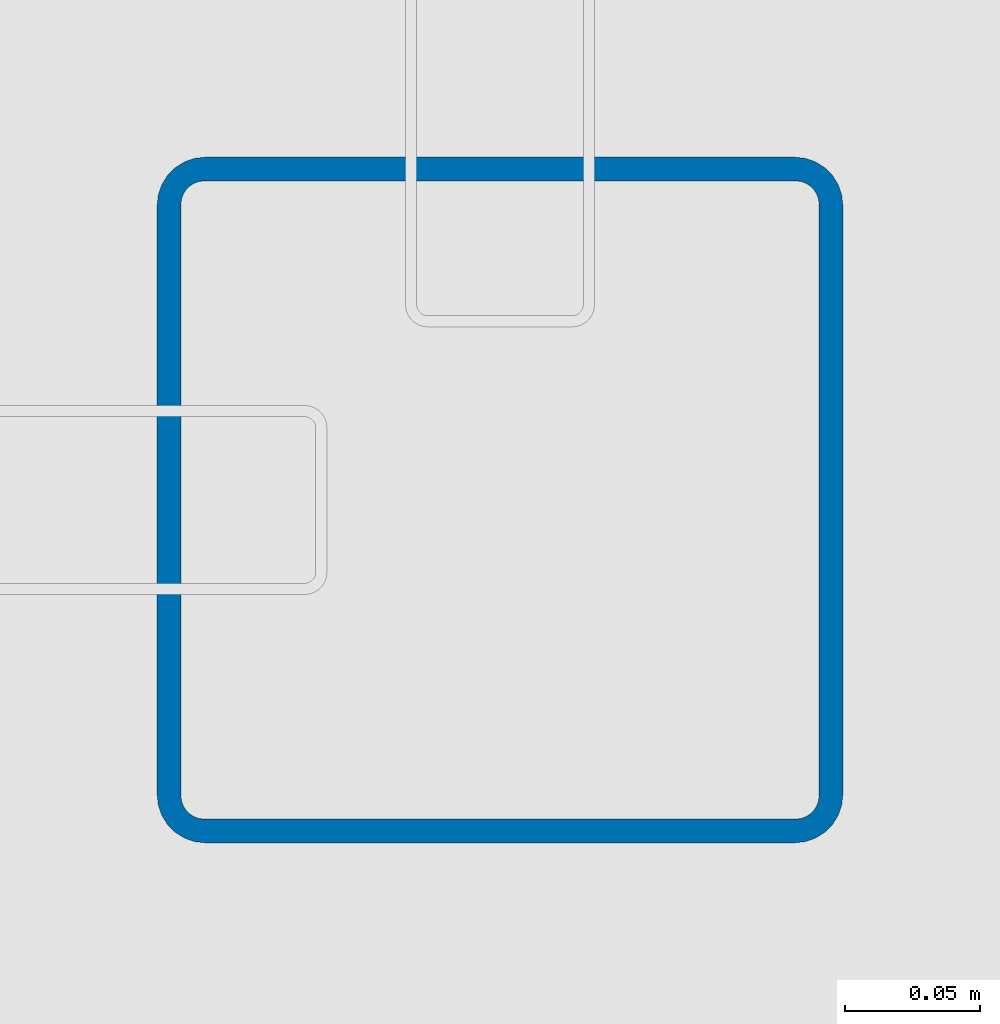
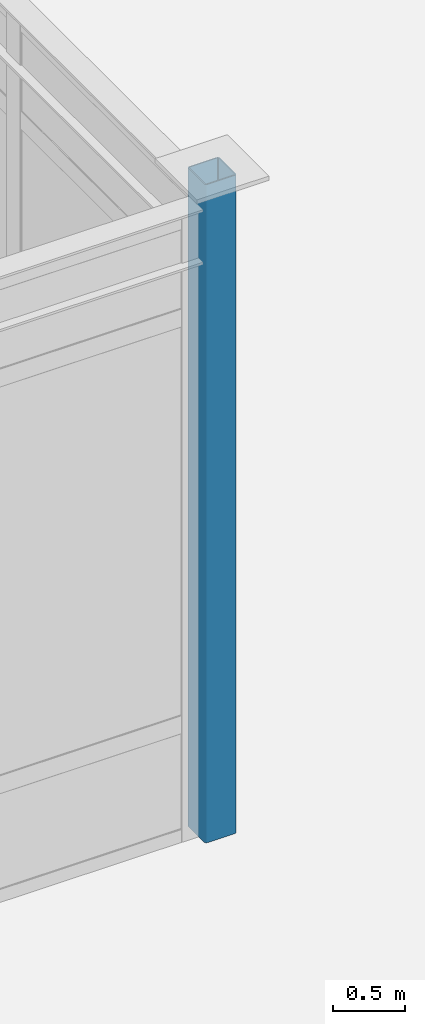
# One storey, part 26 of 128: 1 column.
"""IFC4 building model written with IfcOpenShell, lengths in metres."""

from ifc_helpers import new_model, si_unit, direction, frame, origin, origin_2d, place, context, subcontext, project, spatial, hollow_rectangle, extrude, material, material_profile, profile_set, type_object, element, save


model = new_model("IFC4")

# Units and contexts
model_context = context("Model", 3, precision=1e-05, world=origin(), true_north=direction((0.0, 1.0)))
body_context = subcontext(model_context, "Body", "Model", "MODEL_VIEW")
ifc_project = project(units=[si_unit("LENGTHUNIT", "METRE"), si_unit("AREAUNIT", "SQUARE_METRE"), si_unit("VOLUMEUNIT", "CUBIC_METRE"), si_unit("PLANEANGLEUNIT", "RADIAN"), si_unit("MASSUNIT", "GRAM", prefix="KILO")], contexts=[model_context])

# Site, building, storey
site_placement = place(None, origin())
site = spatial("IfcSite", under=ifc_project, at=site_placement, CompositionType="ELEMENT")
building_placement = place(site_placement, origin())
building = spatial("IfcBuilding", under=site, at=building_placement, Name="Solmirada Galleria", CompositionType="ELEMENT")
storey_placement = place(building_placement, origin())
storey = spatial("IfcBuildingStorey", under=building, at=storey_placement, Name="L00", CompositionType="ELEMENT", Elevation=0.0)

# Column
ifc_material = material(Name="Steel S355 / ASTM A500 Grade C", Category="steel")
ifc_material_profile = material_profile(ifc_material, hollow_rectangle(XDim=0.25390625, YDim=0.25390625, WallThickness=0.0087890625, InnerFilletRadius=0.0087890625, OuterFilletRadius=0.017822265625, at=origin_2d()), Name="HSS10X10X3/8")
ifc_profile_set = profile_set([ifc_material_profile], Name="Steel S355 / ASTM A500 Grade C")
column_type = type_object("IfcColumnType", Name="COL-HSS10", PredefinedType="COLUMN", material=ifc_profile_set)
column_placement = place(storey_placement, frame((136.0, 56.0, 0.0), z_axis=(0.0, 0.0, 1.0), x_axis=(1.0, 0.0, 0.0)))
element("IfcColumn", 1, at=column_placement, inside=storey, type_object=column_type, Name="Structural column L00-1149", PredefinedType="COLUMN", context=body_context, shape_type="SweptSolid", body=[
    extrude(hollow_rectangle(XDim=0.25390625, YDim=0.25390625, WallThickness=0.0087890625, InnerFilletRadius=0.0087890625, OuterFilletRadius=0.017822265625, at=origin_2d()), origin(), (0.0, 0.0, 1.0), 5.60009765625),
])

save(model, "model.ifc")
